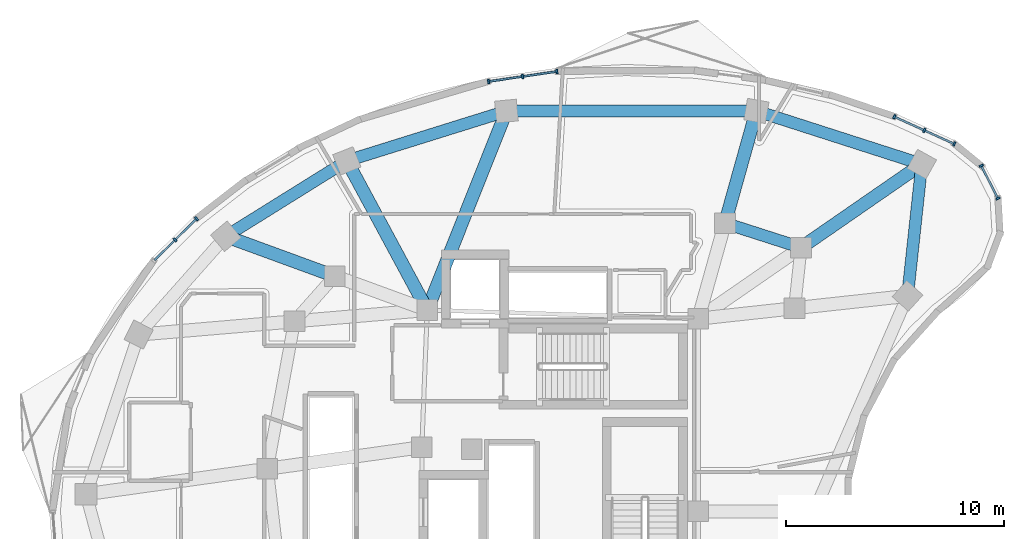
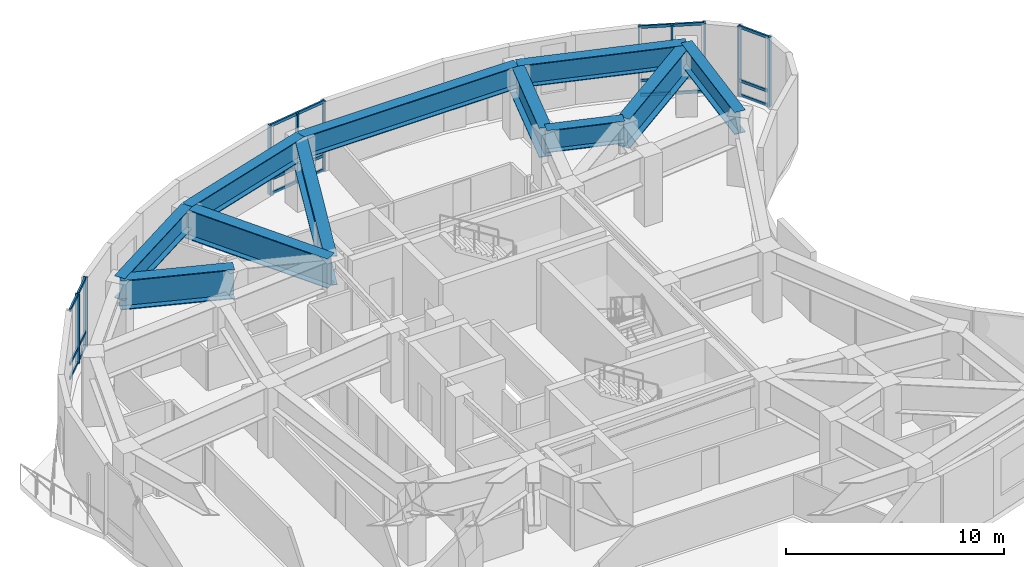
# One storey, part 4 of 12: 31 members, 11 beams, 4 elements without a shape of their own.
"""IFC4 building model written with IfcOpenShell, lengths in metres."""

from ifc_helpers import new_model, si_unit, direction, frame, origin, origin_2d, place, context, subcontext, project, spatial, rectangle, i_section, extrude, material, layer, layer_set, material_profile, profile_set, type_object, element, aggregate, save


model = new_model("IFC4")

# Units and contexts
model_context = context("Model", 3, precision=1e-05, world=origin(), true_north=direction((0.0, 1.0)))
body_context = subcontext(model_context, "Body", "Model", "MODEL_VIEW")
ifc_project = project(units=[si_unit("LENGTHUNIT", "METRE"), si_unit("AREAUNIT", "SQUARE_METRE"), si_unit("VOLUMEUNIT", "CUBIC_METRE"), si_unit("PLANEANGLEUNIT", "RADIAN"), si_unit("MASSUNIT", "GRAM", prefix="KILO")], contexts=[model_context])

# Site, building, storey
site_placement = place(None, origin())
site = spatial("IfcSite", under=ifc_project, at=site_placement, CompositionType="ELEMENT")
building_placement = place(site_placement, origin())
building = spatial("IfcBuilding", under=site, at=building_placement, Name="Korentha Bioscience Tower", CompositionType="ELEMENT")
storey_placement = place(building_placement, frame((0.0, 0.0, 196.199951171875)))
storey = spatial("IfcBuildingStorey", under=building, at=storey_placement, Name="L45", CompositionType="ELEMENT", Elevation=196.199951171875)

# Beams
ifc_material_1 = material(Name="Steel S355", Category="steel")
ifc_material_profile_1 = material_profile(ifc_material_1, i_section(OverallWidth=0.550048828125, OverallDepth=1.25, WebThickness=0.02392578125, FlangeThickness=0.0400390625, at=origin_2d()), Name="Steel S355")
ifc_profile_set_1 = profile_set([ifc_material_profile_1], Name="Steel S355 (TG-03)")
beam_type_1 = type_object("IfcBeamType", Name="Crown Step Transfer Girder CVS 1250x510", PredefinedType="USERDEFINED", material=ifc_profile_set_1)
beam_1_placement = place(storey_placement, frame((42.274658203125, 39.1171875, 3.275146484375), z_axis=(-0.952000195343, 0.306097415976, 0.0), x_axis=(-0.306097415976, -0.952000195343, 0.0)))
element("IfcBeam", 1, at=beam_1_placement, inside=storey, type_object=beam_type_1, Name="L45 Mid-Ring Tie Girder 01", ObjectType="TRANSFER_GIRDER", PredefinedType="USERDEFINED", context=body_context, shape_type="SweptSolid", body=[
    extrude(i_section(OverallWidth=0.550048828125, OverallDepth=1.25, WebThickness=0.02392578125, FlangeThickness=0.0400390625, at=origin_2d()), origin(), (0.0, 0.0, 1.0), 3.672119140625),
])
beam_2_placement = place(storey_placement, frame((47.821044921875, 42.95263671875, 3.275146484375), z_axis=(-0.952008512555, 0.306071547228, 0.0), x_axis=(-0.306071547228, -0.952008512555, 0.0)))
element("IfcBeam", 2, at=beam_2_placement, inside=storey, type_object=beam_type_1, Name="L45 Perimeter Spandrel Girder 01", ObjectType="TRANSFER_GIRDER", PredefinedType="USERDEFINED", context=body_context, shape_type="SweptSolid", body=[
    extrude(i_section(OverallWidth=0.550048828125, OverallDepth=1.25, WebThickness=0.02392578125, FlangeThickness=0.0400390625, at=origin_2d()), origin(), (0.0, 0.0, 1.0), 7.98291015625),
])
beam_3_placement = place(storey_placement, frame((40.22119140625, 45.39599609375, 3.275146484375), z_axis=(-0.99999988041, -0.000489059883, 0.0), x_axis=(0.000489059883, -0.99999988041, 0.0)))
element("IfcBeam", 3, at=beam_3_placement, inside=storey, type_object=beam_type_1, Name="L45 Perimeter Spandrel Girder 02", ObjectType="TRANSFER_GIRDER", PredefinedType="USERDEFINED", context=body_context, shape_type="SweptSolid", body=[
    extrude(i_section(OverallWidth=0.550048828125, OverallDepth=1.25, WebThickness=0.02392578125, FlangeThickness=0.0400390625, at=origin_2d()), origin(), (0.0, 0.0, 1.0), 11.481689453125),
])
beam_4_placement = place(storey_placement, frame((28.739501953125, 45.390380859375, 3.275146484375), z_axis=(-0.954638172607, -0.29776829818, 0.0), x_axis=(0.29776829818, -0.954638172607, 0.0)))
element("IfcBeam", 4, at=beam_4_placement, inside=storey, type_object=beam_type_1, Name="L45 Perimeter Spandrel Girder 03", ObjectType="TRANSFER_GIRDER", PredefinedType="USERDEFINED", context=body_context, shape_type="SweptSolid", body=[
    extrude(i_section(OverallWidth=0.550048828125, OverallDepth=1.25, WebThickness=0.02392578125, FlangeThickness=0.0400390625, at=origin_2d()), origin(), (0.0, 0.0, 1.0), 7.682373046875),
])
beam_5_placement = place(storey_placement, frame((21.405517578125, 43.102783203125, 3.275146484375), z_axis=(-0.848675740059, -0.528913497876, 0.0), x_axis=(0.528913497876, -0.848675740059, 0.0)))
element("IfcBeam", 5, at=beam_5_placement, inside=storey, type_object=beam_type_1, Name="L45 Perimeter Spandrel Girder 04", ObjectType="TRANSFER_GIRDER", PredefinedType="USERDEFINED", context=body_context, shape_type="SweptSolid", body=[
    extrude(i_section(OverallWidth=0.550048828125, OverallDepth=1.25, WebThickness=0.02392578125, FlangeThickness=0.0400390625, at=origin_2d()), origin(), (0.0, 0.0, 1.0), 6.55322265625),
])
beam_6_placement = place(storey_placement, frame((47.16748046875, 36.89794921875, 3.275146484375), z_axis=(0.10732012232, 0.994224517574, 0.0), x_axis=(-0.994224517574, 0.10732012232, 0.0)))
element("IfcBeam", 6, at=beam_6_placement, inside=storey, type_object=beam_type_1, Name="L45 Perimeter Spandrel Girder 16", ObjectType="TRANSFER_GIRDER", PredefinedType="USERDEFINED", context=body_context, shape_type="SweptSolid", body=[
    extrude(i_section(OverallWidth=0.550048828125, OverallDepth=1.25, WebThickness=0.02392578125, FlangeThickness=0.0400390625, at=origin_2d()), origin(), (0.0, 0.0, 1.0), 6.08984375),
])
ifc_material_profile_2 = material_profile(ifc_material_1, i_section(OverallWidth=0.60009765625, OverallDepth=1.64990234375, WebThickness=0.02587890625, FlangeThickness=0.0439453125, at=origin_2d()), Name="Steel S355")
ifc_profile_set_2 = profile_set([ifc_material_profile_2], Name="Steel S355 (TG-04)")
beam_type_2 = type_object("IfcBeamType", Name="Deep Setback Transfer Girder CVS 1650x620", PredefinedType="USERDEFINED", material=ifc_profile_set_2)
beam_7_placement = place(storey_placement, frame((42.274658203125, 39.1171875, 3.074951171875), z_axis=(0.822494455845, 0.568773127094, 0.0), x_axis=(-0.568773127094, 0.822494455845, 0.0)))
element("IfcBeam", 7, at=beam_7_placement, inside=storey, type_object=beam_type_2, Name="L45 Outer Radial Transfer Girder 01", ObjectType="TRANSFER_GIRDER", PredefinedType="USERDEFINED", context=body_context, shape_type="SweptSolid", body=[
    extrude(i_section(OverallWidth=0.60009765625, OverallDepth=1.64990234375, WebThickness=0.02587890625, FlangeThickness=0.0439453125, at=origin_2d()), origin(), (0.0, 0.0, 1.0), 6.743408203125),
])
beam_8_placement = place(storey_placement, frame((38.77880859375, 40.2412109375, 3.074951171875), z_axis=(0.269464128344, 0.963010427532, 0.0), x_axis=(-0.963010427532, 0.269464128344, 0.0)))
element("IfcBeam", 8, at=beam_8_placement, inside=storey, type_object=beam_type_2, Name="L45 Outer Radial Transfer Girder 02", ObjectType="TRANSFER_GIRDER", PredefinedType="USERDEFINED", context=body_context, shape_type="SweptSolid", body=[
    extrude(i_section(OverallWidth=0.60009765625, OverallDepth=1.64990234375, WebThickness=0.02587890625, FlangeThickness=0.0439453125, at=origin_2d()), origin(), (0.0, 0.0, 1.0), 5.352783203125),
])
beam_9_placement = place(storey_placement, frame((25.10009765625, 36.25, 3.074951171875), z_axis=(0.369922682955, 0.929062542909, 0.0), x_axis=(-0.929062542909, 0.369922682955, 0.0)))
element("IfcBeam", 9, at=beam_9_placement, inside=storey, type_object=beam_type_2, Name="L45 Radial Transfer Girder 03", ObjectType="TRANSFER_GIRDER", PredefinedType="USERDEFINED", context=body_context, shape_type="SweptSolid", body=[
    extrude(i_section(OverallWidth=0.60009765625, OverallDepth=1.64990234375, WebThickness=0.02587890625, FlangeThickness=0.0439453125, at=origin_2d()), origin(), (0.0, 0.0, 1.0), 9.83837890625),
])
beam_10_placement = place(storey_placement, frame((25.10009765625, 36.25, 3.074951171875), z_axis=(-0.474559790141, 0.880223270302, 0.0), x_axis=(-0.880223270302, -0.474559790141, 0.0)))
element("IfcBeam", 10, at=beam_10_placement, inside=storey, type_object=beam_type_2, Name="L45 Radial Transfer Girder 04", ObjectType="TRANSFER_GIRDER", PredefinedType="USERDEFINED", context=body_context, shape_type="SweptSolid", body=[
    extrude(i_section(OverallWidth=0.60009765625, OverallDepth=1.64990234375, WebThickness=0.02587890625, FlangeThickness=0.0439453125, at=origin_2d()), origin(), (0.0, 0.0, 1.0), 7.785400390625),
])
beam_11_placement = place(storey_placement, frame((20.84228515625, 37.807861328125, 3.074951171875), z_axis=(-0.939109855566, 0.343617053097, 0.0), x_axis=(-0.343617053097, -0.939109855566, 0.0)))
element("IfcBeam", 11, at=beam_11_placement, inside=storey, type_object=beam_type_2, Name="L45 Outer Radial Transfer Girder 05", ObjectType="TRANSFER_GIRDER", PredefinedType="USERDEFINED", context=body_context, shape_type="SweptSolid", body=[
    extrude(i_section(OverallWidth=0.60009765625, OverallDepth=1.64990234375, WebThickness=0.02587890625, FlangeThickness=0.0439453125, at=origin_2d()), origin(), (0.0, 0.0, 1.0), 5.322265625),
])

# Curtain wall, members
ifc_material_2 = material(Name="Thermally Broken Aluminium Frame", Category="aluminium")
ifc_layer = layer(ifc_material_2, 0.219970703125, Name="Thermally Broken Aluminium Frame")
ifc_layer_set = layer_set([ifc_layer], Name="Thermally Broken Aluminium Frame (CW-T1)")
curtain_wall_type = type_object("IfcCurtainWallType", Name="Standard Bioscience Lab Unitised Curtain Wall CW-T1", PredefinedType="USERDEFINED", material=ifc_layer_set)
curtain_wall_1_placement = place(storey_placement, origin())
curtain_wall_1 = element("IfcCurtainWall", 12, at=curtain_wall_1_placement, inside=storey, type_object=curtain_wall_type, Name="L45 Curtain Wall 01", ObjectType="UNITISED", PredefinedType="USERDEFINED")
ifc_material_3 = material(Name="Anodised Aluminium 6063-T6", Category="aluminium")
ifc_material_profile_3 = material_profile(ifc_material_3, rectangle(XDim=0.090087890625, YDim=0.199951171875, at=origin_2d()), Name="Anodised Aluminium 6063-T6")
ifc_profile_set_3 = profile_set([ifc_material_profile_3], Name="Anodised Aluminium 6063-T6 (CW-MUL)")
member_type_1 = type_object("IfcMemberType", Name="Mullion RECT 90x200", PredefinedType="MULLION", material=ifc_profile_set_3)
member_1_placement = place(storey_placement, frame((49.314453125, 43.878173828125, 0.0), z_axis=(0.0, 0.0, 1.0), x_axis=(-0.910644398392, 0.413190972406, 0.0)))
member_1 = element("IfcMember", 13, at=member_1_placement, type_object=member_type_1, Name="CW-L45-01 Mullion 1", PredefinedType="MULLION", context=body_context, shape_type="SweptSolid", body=[
    extrude(rectangle(XDim=0.090087890625, YDim=0.199951171875, at=origin_2d()), origin(), (0.0, 0.0, 1.0), 3.900146484375),
])
member_2_placement = place(storey_placement, frame((47.93701171875, 44.503173828125, 0.0), z_axis=(0.0, 0.0, 1.0), x_axis=(-0.910644398392, 0.413190972406, 0.0)))
member_2 = element("IfcMember", 14, at=member_2_placement, type_object=member_type_1, Name="CW-L45-01 Mullion 2", PredefinedType="MULLION", context=body_context, shape_type="SweptSolid", body=[
    extrude(rectangle(XDim=0.090087890625, YDim=0.199951171875, at=origin_2d()), origin(), (0.0, 0.0, 1.0), 3.900146484375),
])
member_3_placement = place(storey_placement, frame((46.5595703125, 45.128173828125, 0.0), z_axis=(0.0, 0.0, 1.0), x_axis=(-0.910644398392, 0.413190972406, 0.0)))
member_3 = element("IfcMember", 15, at=member_3_placement, type_object=member_type_1, Name="CW-L45-01 Mullion 3", PredefinedType="MULLION", context=body_context, shape_type="SweptSolid", body=[
    extrude(rectangle(XDim=0.090087890625, YDim=0.199951171875, at=origin_2d()), origin(), (0.0, 0.0, 1.0), 3.900146484375),
])

curtain_wall_2_placement = place(storey_placement, origin())
curtain_wall_2 = element("IfcCurtainWall", 16, at=curtain_wall_2_placement, inside=storey, type_object=curtain_wall_type, Name="L45 Curtain Wall 07", ObjectType="UNITISED", PredefinedType="USERDEFINED")
member_4_placement = place(storey_placement, frame((31.056640625, 47.205078125, 0.0), z_axis=(0.0, 0.0, 1.0), x_axis=(-0.989461919888, -0.144793332342, 0.0)))
member_4 = element("IfcMember", 17, at=member_4_placement, type_object=member_type_1, Name="CW-L45-07 Mullion 1", PredefinedType="MULLION", context=body_context, shape_type="SweptSolid", body=[
    extrude(rectangle(XDim=0.090087890625, YDim=0.199951171875, at=origin_2d()), origin(), (0.0, 0.0, 1.0), 3.900146484375),
])
member_5_placement = place(storey_placement, frame((29.485107421875, 46.97509765625, 0.0), z_axis=(0.0, 0.0, 1.0), x_axis=(-0.989461919888, -0.144793332342, 0.0)))
member_5 = element("IfcMember", 18, at=member_5_placement, type_object=member_type_1, Name="CW-L45-07 Mullion 2", PredefinedType="MULLION", context=body_context, shape_type="SweptSolid", body=[
    extrude(rectangle(XDim=0.090087890625, YDim=0.199951171875, at=origin_2d()), origin(), (0.0, 0.0, 1.0), 3.900146484375),
])
member_6_placement = place(storey_placement, frame((27.913330078125, 46.7451171875, 0.0), z_axis=(0.0, 0.0, 1.0), x_axis=(-0.989461919888, -0.144793332342, 0.0)))
member_6 = element("IfcMember", 19, at=member_6_placement, type_object=member_type_1, Name="CW-L45-07 Mullion 3", PredefinedType="MULLION", context=body_context, shape_type="SweptSolid", body=[
    extrude(rectangle(XDim=0.090087890625, YDim=0.199951171875, at=origin_2d()), origin(), (0.0, 0.0, 1.0), 3.900146484375),
])

curtain_wall_3_placement = place(storey_placement, origin())
curtain_wall_3 = element("IfcCurtainWall", 20, at=curtain_wall_3_placement, inside=storey, type_object=curtain_wall_type, Name="L45 Curtain Wall 13", ObjectType="UNITISED", PredefinedType="USERDEFINED")
member_7_placement = place(storey_placement, frame((14.49951171875, 40.44287109375, 0.0), z_axis=(0.0, 0.0, 1.0), x_axis=(-0.711460557971, -0.702726030862, 0.0)))
member_7 = element("IfcMember", 21, at=member_7_placement, type_object=member_type_1, Name="CW-L45-13 Mullion 1", PredefinedType="MULLION", context=body_context, shape_type="SweptSolid", body=[
    extrude(rectangle(XDim=0.090087890625, YDim=0.199951171875, at=origin_2d()), origin(), (0.0, 0.0, 1.0), 3.900146484375),
])
member_8_placement = place(storey_placement, frame((13.517333984375, 39.472900390625, 0.0), z_axis=(0.0, 0.0, 1.0), x_axis=(-0.711460557971, -0.702726030862, 0.0)))
member_8 = element("IfcMember", 22, at=member_8_placement, type_object=member_type_1, Name="CW-L45-13 Mullion 2", PredefinedType="MULLION", context=body_context, shape_type="SweptSolid", body=[
    extrude(rectangle(XDim=0.090087890625, YDim=0.199951171875, at=origin_2d()), origin(), (0.0, 0.0, 1.0), 3.900146484375),
])

curtain_wall_4_placement = place(storey_placement, origin())
curtain_wall_4 = element("IfcCurtainWall", 23, at=curtain_wall_4_placement, inside=storey, type_object=curtain_wall_type, Name="L45 Curtain Wall 61", ObjectType="UNITISED", PredefinedType="USERDEFINED")
member_9_placement = place(storey_placement, frame((51.31884765625, 41.375732421875, 0.0), z_axis=(0.0, 0.0, 1.0), x_axis=(-0.45428845847, 0.890854643868, 0.0)))
member_9 = element("IfcMember", 24, at=member_9_placement, type_object=member_type_1, Name="CW-L45-61 Mullion 1", PredefinedType="MULLION", context=body_context, shape_type="SweptSolid", body=[
    extrude(rectangle(XDim=0.090087890625, YDim=0.199951171875, at=origin_2d()), origin(), (0.0, 0.0, 1.0), 3.900146484375),
])
member_10_placement = place(storey_placement, frame((50.5546875, 42.873779296875, 0.0), z_axis=(0.0, 0.0, 1.0), x_axis=(-0.45428845847, 0.890854643868, 0.0)))
member_10 = element("IfcMember", 25, at=member_10_placement, type_object=member_type_1, Name="CW-L45-61 Mullion 2", PredefinedType="MULLION", context=body_context, shape_type="SweptSolid", body=[
    extrude(rectangle(XDim=0.090087890625, YDim=0.199951171875, at=origin_2d()), origin(), (0.0, 0.0, 1.0), 3.900146484375),
])

# Member
ifc_material_profile_4 = material_profile(ifc_material_3, rectangle(XDim=0.090087890625, YDim=0.159912109375, at=origin_2d()), Name="Anodised Aluminium 6063-T6")
ifc_profile_set_4 = profile_set([ifc_material_profile_4], Name="Anodised Aluminium 6063-T6 (CW-TRN)")
member_type_2 = type_object("IfcMemberType", Name="Transom RECT 90x160", PredefinedType="USERDEFINED", material=ifc_profile_set_4)
member_11_placement = place(storey_placement, frame((49.2734375, 43.896728515625, 0.045166015625), z_axis=(-0.910613165474, 0.41325980069, 0.0), x_axis=(-0.41325980069, -0.910613165474, 0.0)))
member_11 = element("IfcMember", 26, at=member_11_placement, type_object=member_type_2, Name="CW-L45-01 Bay 1 Transom 1", ObjectType="TRANSOM", PredefinedType="USERDEFINED", context=body_context, shape_type="SweptSolid", body=[
    extrude(rectangle(XDim=0.090087890625, YDim=0.159912109375, at=origin_2d()), origin(), (0.0, 0.0, 1.0), 1.422607421875),
])

member_12_placement = place(storey_placement, frame((49.2734375, 43.896728515625, 0.85009765625), z_axis=(-0.910613165474, 0.41325980069, 0.0), x_axis=(-0.41325980069, -0.910613165474, 0.0)))
member_12 = element("IfcMember", 27, at=member_12_placement, type_object=member_type_2, Name="CW-L45-01 Bay 1 Transom 2", ObjectType="TRANSOM", PredefinedType="USERDEFINED", context=body_context, shape_type="SweptSolid", body=[
    extrude(rectangle(XDim=0.090087890625, YDim=0.159912109375, at=origin_2d()), origin(), (0.0, 0.0, 1.0), 1.422607421875),
])

member_13_placement = place(storey_placement, frame((49.2734375, 43.896728515625, 3.85498046875), z_axis=(-0.910613165474, 0.41325980069, 0.0), x_axis=(-0.41325980069, -0.910613165474, 0.0)))
member_13 = element("IfcMember", 28, at=member_13_placement, type_object=member_type_2, Name="CW-L45-01 Bay 1 Transom 3", ObjectType="TRANSOM", PredefinedType="USERDEFINED", context=body_context, shape_type="SweptSolid", body=[
    extrude(rectangle(XDim=0.090087890625, YDim=0.159912109375, at=origin_2d()), origin(), (0.0, 0.0, 1.0), 1.422607421875),
])

member_14_placement = place(storey_placement, frame((47.89599609375, 44.521728515625, 0.045166015625), z_axis=(-0.910613165474, 0.41325980069, 0.0), x_axis=(-0.41325980069, -0.910613165474, 0.0)))
member_14 = element("IfcMember", 29, at=member_14_placement, type_object=member_type_2, Name="CW-L45-01 Bay 2 Transom 1", ObjectType="TRANSOM", PredefinedType="USERDEFINED", context=body_context, shape_type="SweptSolid", body=[
    extrude(rectangle(XDim=0.090087890625, YDim=0.159912109375, at=origin_2d()), origin(), (0.0, 0.0, 1.0), 1.422607421875),
])

member_15_placement = place(storey_placement, frame((47.89599609375, 44.521728515625, 0.85009765625), z_axis=(-0.910613165474, 0.41325980069, 0.0), x_axis=(-0.41325980069, -0.910613165474, 0.0)))
member_15 = element("IfcMember", 30, at=member_15_placement, type_object=member_type_2, Name="CW-L45-01 Bay 2 Transom 2", ObjectType="TRANSOM", PredefinedType="USERDEFINED", context=body_context, shape_type="SweptSolid", body=[
    extrude(rectangle(XDim=0.090087890625, YDim=0.159912109375, at=origin_2d()), origin(), (0.0, 0.0, 1.0), 1.422607421875),
])

member_16_placement = place(storey_placement, frame((47.89599609375, 44.521728515625, 3.85498046875), z_axis=(-0.910613165474, 0.41325980069, 0.0), x_axis=(-0.41325980069, -0.910613165474, 0.0)))
member_16 = element("IfcMember", 31, at=member_16_placement, type_object=member_type_2, Name="CW-L45-01 Bay 2 Transom 3", ObjectType="TRANSOM", PredefinedType="USERDEFINED", context=body_context, shape_type="SweptSolid", body=[
    extrude(rectangle(XDim=0.090087890625, YDim=0.159912109375, at=origin_2d()), origin(), (0.0, 0.0, 1.0), 1.422607421875),
])

aggregate(curtain_wall_1, [member_1, member_2, member_3, member_11, member_12, member_13, member_14, member_15, member_16])

member_17_placement = place(storey_placement, frame((31.01220703125, 47.198486328125, 0.045166015625), z_axis=(-0.989478137929, -0.144682461136, 0.0), x_axis=(0.144682461136, -0.989478137929, 0.0)))
member_17 = element("IfcMember", 32, at=member_17_placement, type_object=member_type_2, Name="CW-L45-07 Bay 1 Transom 1", ObjectType="TRANSOM", PredefinedType="USERDEFINED", context=body_context, shape_type="SweptSolid", body=[
    extrude(rectangle(XDim=0.090087890625, YDim=0.159912109375, at=origin_2d()), origin(), (0.0, 0.0, 1.0), 1.49853515625),
])

member_18_placement = place(storey_placement, frame((31.01220703125, 47.198486328125, 0.85009765625), z_axis=(-0.989478137929, -0.144682461136, 0.0), x_axis=(0.144682461136, -0.989478137929, 0.0)))
member_18 = element("IfcMember", 33, at=member_18_placement, type_object=member_type_2, Name="CW-L45-07 Bay 1 Transom 2", ObjectType="TRANSOM", PredefinedType="USERDEFINED", context=body_context, shape_type="SweptSolid", body=[
    extrude(rectangle(XDim=0.090087890625, YDim=0.159912109375, at=origin_2d()), origin(), (0.0, 0.0, 1.0), 1.49853515625),
])

member_19_placement = place(storey_placement, frame((31.01220703125, 47.198486328125, 3.85498046875), z_axis=(-0.989478137929, -0.144682461136, 0.0), x_axis=(0.144682461136, -0.989478137929, 0.0)))
member_19 = element("IfcMember", 34, at=member_19_placement, type_object=member_type_2, Name="CW-L45-07 Bay 1 Transom 3", ObjectType="TRANSOM", PredefinedType="USERDEFINED", context=body_context, shape_type="SweptSolid", body=[
    extrude(rectangle(XDim=0.090087890625, YDim=0.159912109375, at=origin_2d()), origin(), (0.0, 0.0, 1.0), 1.49853515625),
])

member_20_placement = place(storey_placement, frame((29.4404296875, 46.968505859375, 0.045166015625), z_axis=(-0.989474726473, -0.144705790038, 0.0), x_axis=(0.144705790038, -0.989474726473, 0.0)))
member_20 = element("IfcMember", 35, at=member_20_placement, type_object=member_type_2, Name="CW-L45-07 Bay 2 Transom 1", ObjectType="TRANSOM", PredefinedType="USERDEFINED", context=body_context, shape_type="SweptSolid", body=[
    extrude(rectangle(XDim=0.090087890625, YDim=0.159912109375, at=origin_2d()), origin(), (0.0, 0.0, 1.0), 1.498291015625),
])

member_21_placement = place(storey_placement, frame((29.4404296875, 46.968505859375, 0.85009765625), z_axis=(-0.989474726473, -0.144705790038, 0.0), x_axis=(0.144705790038, -0.989474726473, 0.0)))
member_21 = element("IfcMember", 36, at=member_21_placement, type_object=member_type_2, Name="CW-L45-07 Bay 2 Transom 2", ObjectType="TRANSOM", PredefinedType="USERDEFINED", context=body_context, shape_type="SweptSolid", body=[
    extrude(rectangle(XDim=0.090087890625, YDim=0.159912109375, at=origin_2d()), origin(), (0.0, 0.0, 1.0), 1.498291015625),
])

member_22_placement = place(storey_placement, frame((29.4404296875, 46.968505859375, 3.85498046875), z_axis=(-0.989474726473, -0.144705790038, 0.0), x_axis=(0.144705790038, -0.989474726473, 0.0)))
member_22 = element("IfcMember", 37, at=member_22_placement, type_object=member_type_2, Name="CW-L45-07 Bay 2 Transom 3", ObjectType="TRANSOM", PredefinedType="USERDEFINED", context=body_context, shape_type="SweptSolid", body=[
    extrude(rectangle(XDim=0.090087890625, YDim=0.159912109375, at=origin_2d()), origin(), (0.0, 0.0, 1.0), 1.498291015625),
])

aggregate(curtain_wall_2, [member_4, member_5, member_6, member_17, member_18, member_19, member_20, member_21, member_22])

member_23_placement = place(storey_placement, frame((14.46728515625, 40.4111328125, 0.045166015625), z_axis=(-0.711445315109, -0.70274146285, 0.0), x_axis=(0.70274146285, -0.711445315109, 0.0)))
member_23 = element("IfcMember", 38, at=member_23_placement, type_object=member_type_2, Name="CW-L45-13 Bay 1 Transom 1", ObjectType="TRANSOM", PredefinedType="USERDEFINED", context=body_context, shape_type="SweptSolid", body=[
    extrude(rectangle(XDim=0.090087890625, YDim=0.159912109375, at=origin_2d()), origin(), (0.0, 0.0, 1.0), 1.290283203125),
])

member_24_placement = place(storey_placement, frame((14.46728515625, 40.4111328125, 0.85009765625), z_axis=(-0.711445315109, -0.70274146285, 0.0), x_axis=(0.70274146285, -0.711445315109, 0.0)))
member_24 = element("IfcMember", 39, at=member_24_placement, type_object=member_type_2, Name="CW-L45-13 Bay 1 Transom 2", ObjectType="TRANSOM", PredefinedType="USERDEFINED", context=body_context, shape_type="SweptSolid", body=[
    extrude(rectangle(XDim=0.090087890625, YDim=0.159912109375, at=origin_2d()), origin(), (0.0, 0.0, 1.0), 1.290283203125),
])

member_25_placement = place(storey_placement, frame((14.46728515625, 40.4111328125, 3.85498046875), z_axis=(-0.711445315109, -0.70274146285, 0.0), x_axis=(0.70274146285, -0.711445315109, 0.0)))
member_25 = element("IfcMember", 40, at=member_25_placement, type_object=member_type_2, Name="CW-L45-13 Bay 1 Transom 3", ObjectType="TRANSOM", PredefinedType="USERDEFINED", context=body_context, shape_type="SweptSolid", body=[
    extrude(rectangle(XDim=0.090087890625, YDim=0.159912109375, at=origin_2d()), origin(), (0.0, 0.0, 1.0), 1.290283203125),
])

member_26_placement = place(storey_placement, frame((13.4853515625, 39.441162109375, 0.045166015625), z_axis=(-0.711444158079, -0.70274263421, 0.0), x_axis=(0.70274263421, -0.711444158079, 0.0)))
member_26 = element("IfcMember", 41, at=member_26_placement, type_object=member_type_2, Name="CW-L45-13 Bay 2 Transom 1", ObjectType="TRANSOM", PredefinedType="USERDEFINED", context=body_context, shape_type="SweptSolid", body=[
    extrude(rectangle(XDim=0.090087890625, YDim=0.159912109375, at=origin_2d()), origin(), (0.0, 0.0, 1.0), 1.29052734375),
])

member_27_placement = place(storey_placement, frame((13.4853515625, 39.441162109375, 0.85009765625), z_axis=(-0.711444158079, -0.70274263421, 0.0), x_axis=(0.70274263421, -0.711444158079, 0.0)))
member_27 = element("IfcMember", 42, at=member_27_placement, type_object=member_type_2, Name="CW-L45-13 Bay 2 Transom 2", ObjectType="TRANSOM", PredefinedType="USERDEFINED", context=body_context, shape_type="SweptSolid", body=[
    extrude(rectangle(XDim=0.090087890625, YDim=0.159912109375, at=origin_2d()), origin(), (0.0, 0.0, 1.0), 1.29052734375),
])

member_28_placement = place(storey_placement, frame((13.4853515625, 39.441162109375, 3.85498046875), z_axis=(-0.711444158079, -0.70274263421, 0.0), x_axis=(0.70274263421, -0.711444158079, 0.0)))
member_28 = element("IfcMember", 43, at=member_28_placement, type_object=member_type_2, Name="CW-L45-13 Bay 2 Transom 3", ObjectType="TRANSOM", PredefinedType="USERDEFINED", context=body_context, shape_type="SweptSolid", body=[
    extrude(rectangle(XDim=0.090087890625, YDim=0.159912109375, at=origin_2d()), origin(), (0.0, 0.0, 1.0), 1.29052734375),
])

aggregate(curtain_wall_3, [member_7, member_8, member_23, member_24, member_25, member_26, member_27, member_28])

member_29_placement = place(storey_placement, frame((51.29833984375, 41.415771484375, 0.045166015625), z_axis=(-0.454316345026, 0.890840422658, 0.0), x_axis=(-0.890840422658, -0.454316345026, 0.0)))
member_29 = element("IfcMember", 44, at=member_29_placement, type_object=member_type_2, Name="CW-L45-61 Bay 1 Transom 1", ObjectType="TRANSOM", PredefinedType="USERDEFINED", context=body_context, shape_type="SweptSolid", body=[
    extrude(rectangle(XDim=0.090087890625, YDim=0.159912109375, at=origin_2d()), origin(), (0.0, 0.0, 1.0), 1.591796875),
])

member_30_placement = place(storey_placement, frame((51.29833984375, 41.415771484375, 0.85009765625), z_axis=(-0.454316345026, 0.890840422658, 0.0), x_axis=(-0.890840422658, -0.454316345026, 0.0)))
member_30 = element("IfcMember", 45, at=member_30_placement, type_object=member_type_2, Name="CW-L45-61 Bay 1 Transom 2", ObjectType="TRANSOM", PredefinedType="USERDEFINED", context=body_context, shape_type="SweptSolid", body=[
    extrude(rectangle(XDim=0.090087890625, YDim=0.159912109375, at=origin_2d()), origin(), (0.0, 0.0, 1.0), 1.591796875),
])

member_31_placement = place(storey_placement, frame((51.29833984375, 41.415771484375, 3.85498046875), z_axis=(-0.454316345026, 0.890840422658, 0.0), x_axis=(-0.890840422658, -0.454316345026, 0.0)))
member_31 = element("IfcMember", 46, at=member_31_placement, type_object=member_type_2, Name="CW-L45-61 Bay 1 Transom 3", ObjectType="TRANSOM", PredefinedType="USERDEFINED", context=body_context, shape_type="SweptSolid", body=[
    extrude(rectangle(XDim=0.090087890625, YDim=0.159912109375, at=origin_2d()), origin(), (0.0, 0.0, 1.0), 1.591796875),
])

aggregate(curtain_wall_4, [member_9, member_10, member_29, member_30, member_31])

save(model, "model.ifc")
